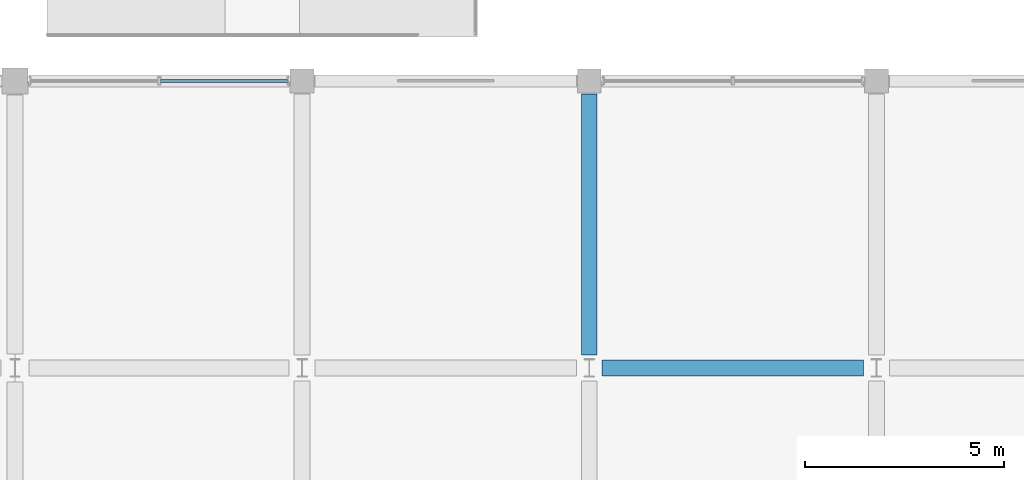
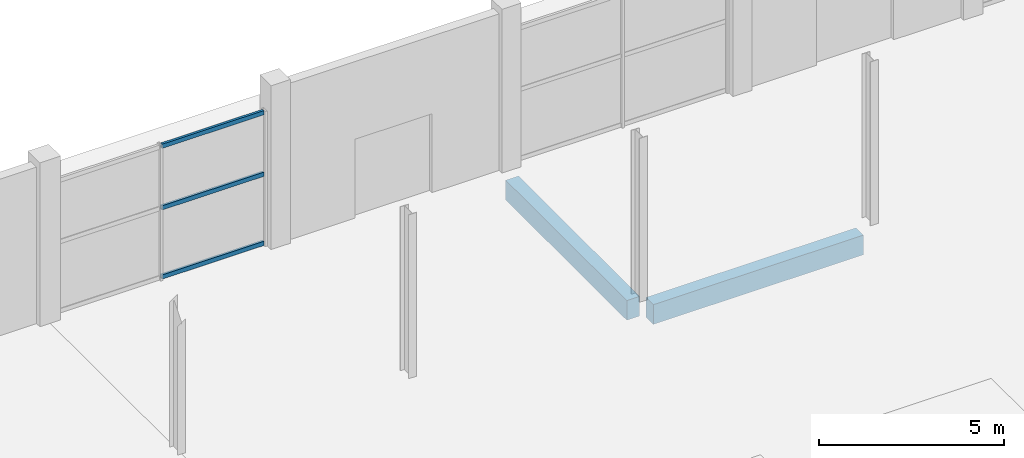
# One storey, part 21 of 90: 3 members, 2 beams, 1 element without a shape of its own.
"""IFC4 building model written with IfcOpenShell, lengths in metres."""

from ifc_helpers import new_model, si_unit, direction, frame, origin, origin_2d, place, context, subcontext, project, spatial, rectangle, hollow_rectangle, extrude, material, layer, layer_set, material_profile, profile_set, type_object, element, aggregate, save


model = new_model("IFC4")

# Units and contexts
model_context = context("Model", 3, precision=1e-05, world=origin(), true_north=direction((0.0, 1.0)))
body_context = subcontext(model_context, "Body", "Model", "MODEL_VIEW")
ifc_project = project(units=[si_unit("LENGTHUNIT", "METRE"), si_unit("AREAUNIT", "SQUARE_METRE"), si_unit("VOLUMEUNIT", "CUBIC_METRE"), si_unit("PLANEANGLEUNIT", "RADIAN"), si_unit("MASSUNIT", "GRAM", prefix="KILO")], contexts=[model_context])

# Site, building, storey
site_placement = place(None, origin())
site = spatial("IfcSite", under=ifc_project, at=site_placement, CompositionType="ELEMENT")
building_placement = place(site_placement, origin())
building = spatial("IfcBuilding", under=site, at=building_placement, Name="Kangsadwip Square Police Headquarters", CompositionType="ELEMENT")
storey_placement = place(building_placement, origin())
storey = spatial("IfcBuildingStorey", under=building, at=storey_placement, Name="L00", CompositionType="ELEMENT", Elevation=0.0)

# Curtain wall, members
ifc_material_1 = material(Name="Thermally broken anodised aluminium AW-6063-T6", Category="aluminium")
ifc_layer = layer(ifc_material_1, 0.159912109375)
ifc_layer_set = layer_set([ifc_layer], Name="Thermally broken anodised aluminium AW-6063-T6")
curtain_wall_type = type_object("IfcCurtainWallType", Name="UnitisedCw6585x4450", PredefinedType="NOTDEFINED", material=ifc_layer_set)
curtain_wall_placement = place(storey_placement, origin())
curtain_wall = element("IfcCurtainWall", 1, at=curtain_wall_placement, inside=storey, type_object=curtain_wall_type, Name="Curtain Wall CW-L00-0435-1152", PredefinedType="NOTDEFINED")
ifc_material_2 = material(Name="Thermally broken anodised aluminium AW-6063-T6", Category="aluminium")
ifc_material_profile_1 = material_profile(ifc_material_2, hollow_rectangle(XDim=0.074951171875, YDim=0.139892578125, WallThickness=0.0048828125, at=origin_2d()), Name="CWT 140X75X5")
ifc_profile_set_1 = profile_set([ifc_material_profile_1], Name="Thermally broken anodised aluminium AW-6063-T6")
member_type = type_object("IfcMemberType", Name="CwTransom160x65", PredefinedType="USERDEFINED", material=ifc_profile_set_1)
member_1_placement = place(storey_placement, frame((46.85009765625, 115.199951171875, 0.070068359375), z_axis=(1.0, 0.0, 0.0), x_axis=(0.0, 1.0, 0.0)))
member_1 = element("IfcMember", 2, at=member_1_placement, type_object=member_type, Name="CW-07 transom 2.1", ObjectType="TRANSOM", PredefinedType="USERDEFINED", context=body_context, shape_type="SweptSolid", body=[
    extrude(hollow_rectangle(XDim=0.074951171875, YDim=0.139892578125, WallThickness=0.0048828125, at=origin_2d()), origin(), (0.0, 0.0, 1.0), 3.179931640625),
])
member_2_placement = place(storey_placement, frame((46.85009765625, 115.199951171875, 2.35009765625), z_axis=(1.0, 0.0, 0.0), x_axis=(0.0, 1.0, 0.0)))
member_2 = element("IfcMember", 3, at=member_2_placement, type_object=member_type, Name="CW-07 transom 2.2", ObjectType="TRANSOM", PredefinedType="USERDEFINED", context=body_context, shape_type="SweptSolid", body=[
    extrude(hollow_rectangle(XDim=0.074951171875, YDim=0.139892578125, WallThickness=0.0048828125, at=origin_2d()), origin(), (0.0, 0.0, 1.0), 3.179931640625),
])
member_3_placement = place(storey_placement, frame((46.85009765625, 115.199951171875, 4.3798828125), z_axis=(1.0, 0.0, 0.0), x_axis=(0.0, 1.0, 0.0)))
member_3 = element("IfcMember", 4, at=member_3_placement, type_object=member_type, Name="CW-07 transom 2.3", ObjectType="TRANSOM", PredefinedType="USERDEFINED", context=body_context, shape_type="SweptSolid", body=[
    extrude(hollow_rectangle(XDim=0.074951171875, YDim=0.139892578125, WallThickness=0.0048828125, at=origin_2d()), origin(), (0.0, 0.0, 1.0), 3.179931640625),
])
aggregate(curtain_wall, [member_1, member_2, member_3])

# Beams
ifc_material_3 = material(Name="Concrete M35 (35 MPa)", Category="concrete")
ifc_material_profile_2 = material_profile(ifc_material_3, rectangle(XDim=0.39990234375, YDim=0.64990234375, at=origin_2d()), Name="RC BM 650X400")
ifc_profile_set_2 = profile_set([ifc_material_profile_2], Name="Concrete M35 (35 MPa)")
beam_type = type_object("IfcBeamType", Name="RcBeam650x400", PredefinedType="BEAM", material=ifc_profile_set_2)
for number, where, z_axis, x_axis, name in (
    (5, (57.925048828125, 108.0, -0.574951171875), (1.0, 0.0, 0.0), (0.0, 1.0, 0.0), "Beam BM-L00-X-08-15"),
    (6, (57.60009765625, 108.324951171875, -0.574951171875), (0.0, 1.0, 0.0), (-1.0, 0.0, 0.0), "Beam BM-L00-Y-08-15"),
):
    element("IfcBeam", number, at=place(storey_placement, frame(where, z_axis=z_axis, x_axis=x_axis)), inside=storey, type_object=beam_type, Name=name, PredefinedType="BEAM", context=body_context, shape_type="SweptSolid", body=[
        extrude(rectangle(XDim=0.39990234375, YDim=0.64990234375, at=origin_2d()), origin(), (0.0, 0.0, 1.0), 6.550048828125),
    ])

save(model, "model.ifc")
